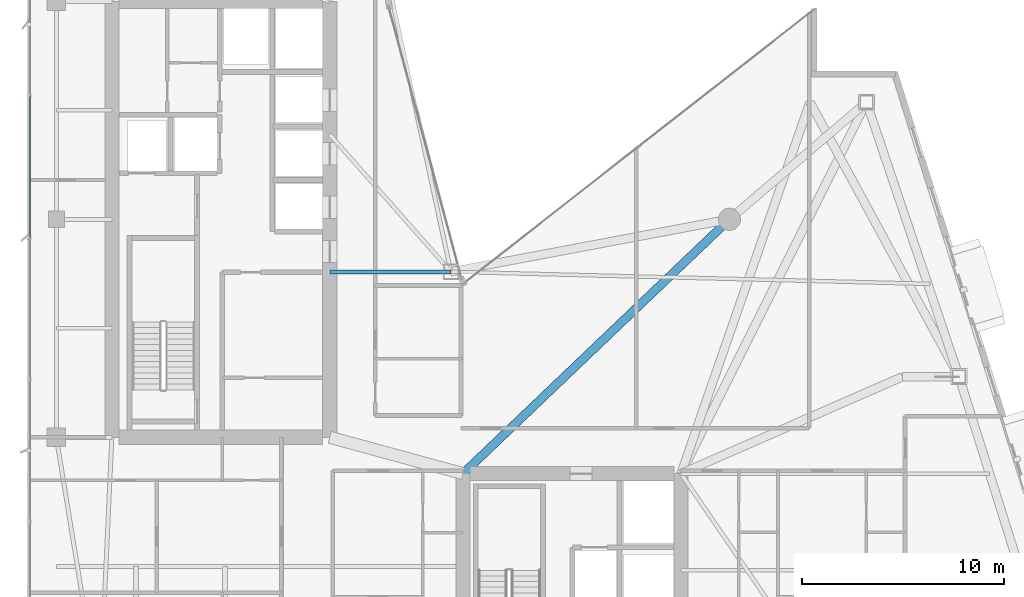
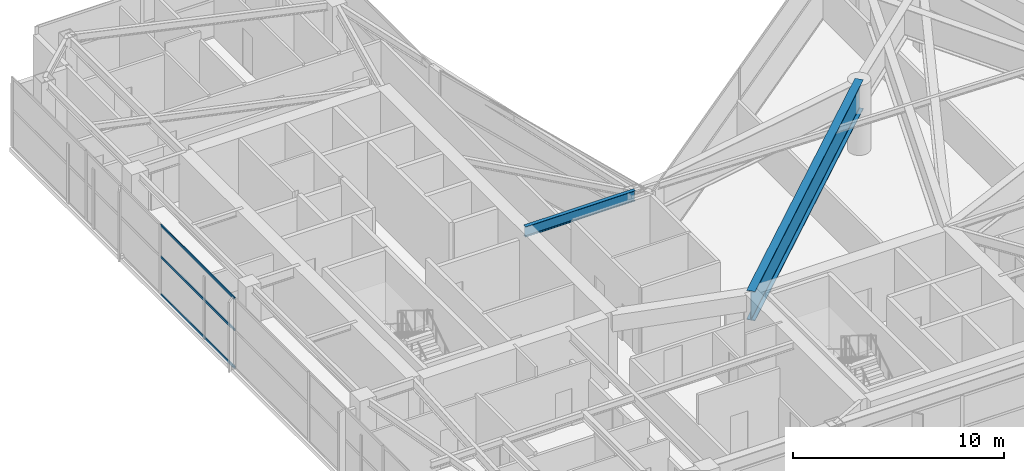
# One storey, part 9 of 29: 3 members, 2 beams, 1 element without a shape of its own.
"""IFC4 building model written with IfcOpenShell, lengths in metres."""

from ifc_helpers import new_model, si_unit, direction, frame, origin, origin_2d, place, context, subcontext, project, spatial, hollow_rectangle, i_section, extrude, material, layer, layer_set, material_profile, profile_set, type_object, element, aggregate, save


model = new_model("IFC4")

# Units and contexts
model_context = context("Model", 3, precision=1e-05, world=origin(), true_north=direction((0.0, 1.0)))
body_context = subcontext(model_context, "Body", "Model", "MODEL_VIEW")
ifc_project = project(units=[si_unit("LENGTHUNIT", "METRE"), si_unit("AREAUNIT", "SQUARE_METRE"), si_unit("VOLUMEUNIT", "CUBIC_METRE"), si_unit("PLANEANGLEUNIT", "RADIAN"), si_unit("MASSUNIT", "GRAM", prefix="KILO")], contexts=[model_context])

# Site, building, storey
site_placement = place(None, origin())
site = spatial("IfcSite", under=ifc_project, at=site_placement, CompositionType="ELEMENT")
building_placement = place(site_placement, origin())
building = spatial("IfcBuilding", under=site, at=building_placement, Name="Calvorn Quay Hotel", CompositionType="ELEMENT")
storey_placement = place(building_placement, frame((0.0, 0.0, 214.800048828125)))
storey = spatial("IfcBuildingStorey", under=building, at=storey_placement, Name="L53", CompositionType="ELEMENT", Elevation=214.800048828125)

# Beams
ifc_material_1 = material(Name="Steel Q355B", Category="steel")
ifc_material_profile_1 = material_profile(ifc_material_1, i_section(OverallWidth=0.199951171875, OverallDepth=0.60009765625, WebThickness=0.010986328125, FlangeThickness=0.01708984375, FilletRadius=0.01806640625, at=origin_2d()), Name="HN600x200x11x17")
ifc_profile_set_1 = profile_set([ifc_material_profile_1], Name="Steel Q355B")
beam_type_1 = type_object("IfcBeamType", Name="BM-GIRD-TYP", PredefinedType="BEAM", material=ifc_profile_set_1)
beam_1_placement = place(storey_placement, frame((21.0, 25.0, 3.75), z_axis=(-1.0, 0.0, 0.0), x_axis=(0.0, -1.0, 0.0)))
element("IfcBeam", 1, at=beam_1_placement, inside=storey, type_object=beam_type_1, Name="Beam BG-L53-W7", PredefinedType="BEAM", context=body_context, shape_type="SweptSolid", body=[
    extrude(i_section(OverallWidth=0.199951171875, OverallDepth=0.60009765625, WebThickness=0.010986328125, FlangeThickness=0.01708984375, FilletRadius=0.01806640625, at=origin_2d()), origin(), (0.0, 0.0, 1.0), 6.0),
])
ifc_material_2 = material(Name="Steel Q420GJC", Category="steel")
ifc_material_profile_2 = material_profile(ifc_material_2, i_section(OverallWidth=0.419921875, OverallDepth=1.699951171875, WebThickness=0.02392578125, FlangeThickness=0.0419921875, FilletRadius=0.02392578125, at=origin_2d()), Name="HN1700x420x24x42")
ifc_profile_set_2 = profile_set([ifc_material_profile_2], Name="Steel Q420GJC")
beam_type_2 = type_object("IfcBeamType", Name="BM-XFER-SAWTOOTH", PredefinedType="BEAM", material=ifc_profile_set_2)
beam_2_placement = place(storey_placement, frame((21.60009765625, 15.0, 3.199951171875), z_axis=(0.723351595578, 0.690479883252, 0.0), x_axis=(-0.690479883252, 0.723351595578, 0.0)))
element("IfcBeam", 2, at=beam_2_placement, inside=storey, type_object=beam_type_2, Name="Beam BG-L53-E4", PredefinedType="BEAM", context=body_context, shape_type="SweptSolid", body=[
    extrude(i_section(OverallWidth=0.419921875, OverallDepth=1.699951171875, WebThickness=0.02392578125, FlangeThickness=0.0419921875, FilletRadius=0.02392578125, at=origin_2d()), origin(), (0.0, 0.0, 1.0), 18.248291015625),
])

# Curtain wall, members
ifc_material_3 = material(Name="Champagne Bronze Anodised Aluminium and Low-E Glass", Category="aluminium")
ifc_layer = layer(ifc_material_3, 0.219970703125)
ifc_layer_set = layer_set([ifc_layer], Name="CW-SYS-Z3")
curtain_wall_type = type_object("IfcCurtainWallType", Name="CW-SYS-Z3", PredefinedType="NOTDEFINED", material=ifc_layer_set)
curtain_wall_placement = place(storey_placement, origin())
curtain_wall = element("IfcCurtainWall", 3, at=curtain_wall_placement, inside=storey, type_object=curtain_wall_type, Name="Tower West Curtain Wall (L53)", PredefinedType="NOTDEFINED")
ifc_material_4 = material(Name="Champagne Bronze Anodised Aluminium 6063-T6", Category="aluminium")
ifc_material_profile_3 = material_profile(ifc_material_4, hollow_rectangle(XDim=0.05810546875, YDim=0.139892578125, WallThickness=0.003173828125, at=origin_2d()), Name="ALU-T140x58x3.2")
ifc_profile_set_3 = profile_set([ifc_material_profile_3], Name="Champagne Bronze Anodised Aluminium 6063-T6")
member_type = type_object("IfcMemberType", Name="CW-SYS-Z3-TRN", PredefinedType="USERDEFINED", material=ifc_profile_set_3)
member_1_placement = place(storey_placement, frame((0.14990234375, 26.72998046875, 0.030029296875), z_axis=(0.0, 1.0, 0.0), x_axis=(-1.0, 0.0, 0.0)))
member_1 = element("IfcMember", 4, at=member_1_placement, type_object=member_type, Name="CW-L53-W transom 4.1", ObjectType="TRANSOM", PredefinedType="USERDEFINED", context=body_context, shape_type="SweptSolid", body=[
    extrude(hollow_rectangle(XDim=0.05810546875, YDim=0.139892578125, WallThickness=0.003173828125, at=origin_2d()), origin(), (0.0, 0.0, 1.0), 6.973388671875),
])
member_2_placement = place(storey_placement, frame((0.14990234375, 26.72998046875, 2.199951171875), z_axis=(0.0, 1.0, 0.0), x_axis=(-1.0, 0.0, 0.0)))
member_2 = element("IfcMember", 5, at=member_2_placement, type_object=member_type, Name="CW-L53-W transom 4.2", ObjectType="TRANSOM", PredefinedType="USERDEFINED", context=body_context, shape_type="SweptSolid", body=[
    extrude(hollow_rectangle(XDim=0.05810546875, YDim=0.139892578125, WallThickness=0.003173828125, at=origin_2d()), origin(), (0.0, 0.0, 1.0), 6.973388671875),
])
member_3_placement = place(storey_placement, frame((0.14990234375, 26.72998046875, 4.02001953125), z_axis=(0.0, 1.0, 0.0), x_axis=(-1.0, 0.0, 0.0)))
member_3 = element("IfcMember", 6, at=member_3_placement, type_object=member_type, Name="CW-L53-W transom 4.3", ObjectType="TRANSOM", PredefinedType="USERDEFINED", context=body_context, shape_type="SweptSolid", body=[
    extrude(hollow_rectangle(XDim=0.05810546875, YDim=0.139892578125, WallThickness=0.003173828125, at=origin_2d()), origin(), (0.0, 0.0, 1.0), 6.973388671875),
])
aggregate(curtain_wall, [member_1, member_2, member_3])

save(model, "model.ifc")
